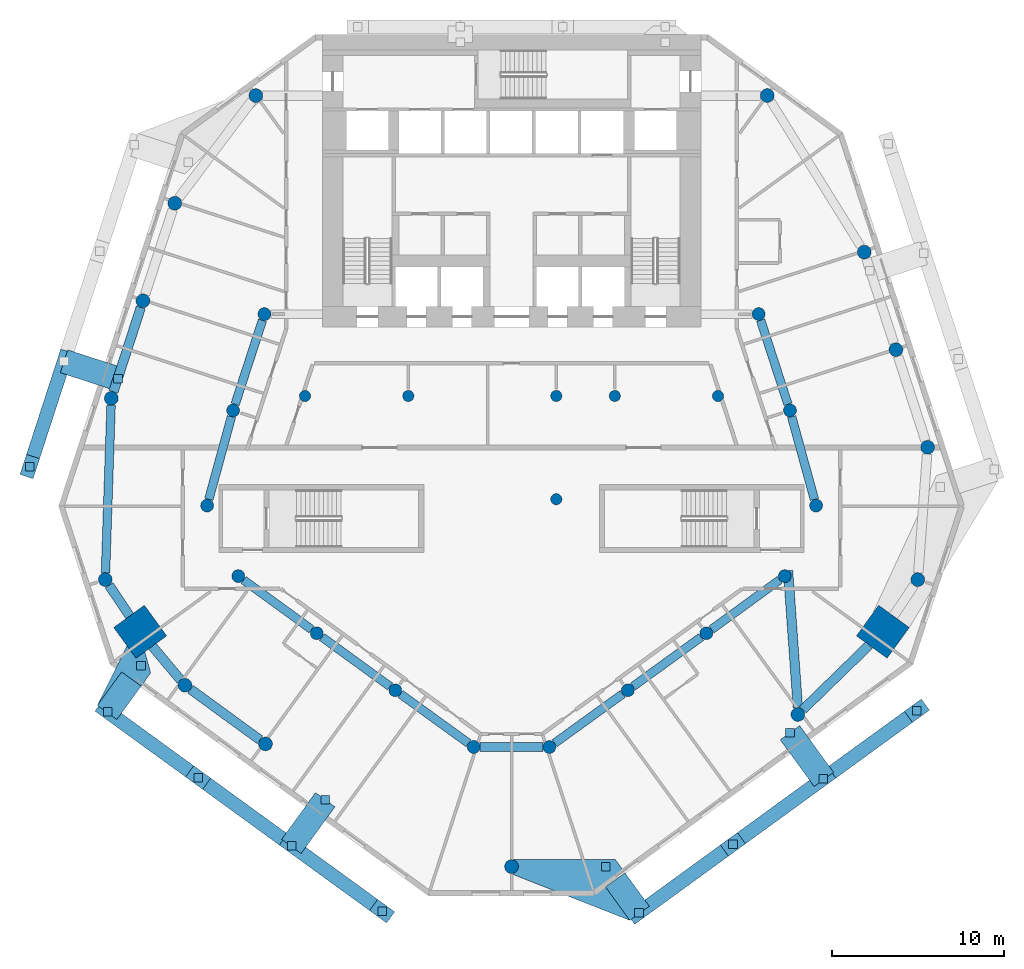
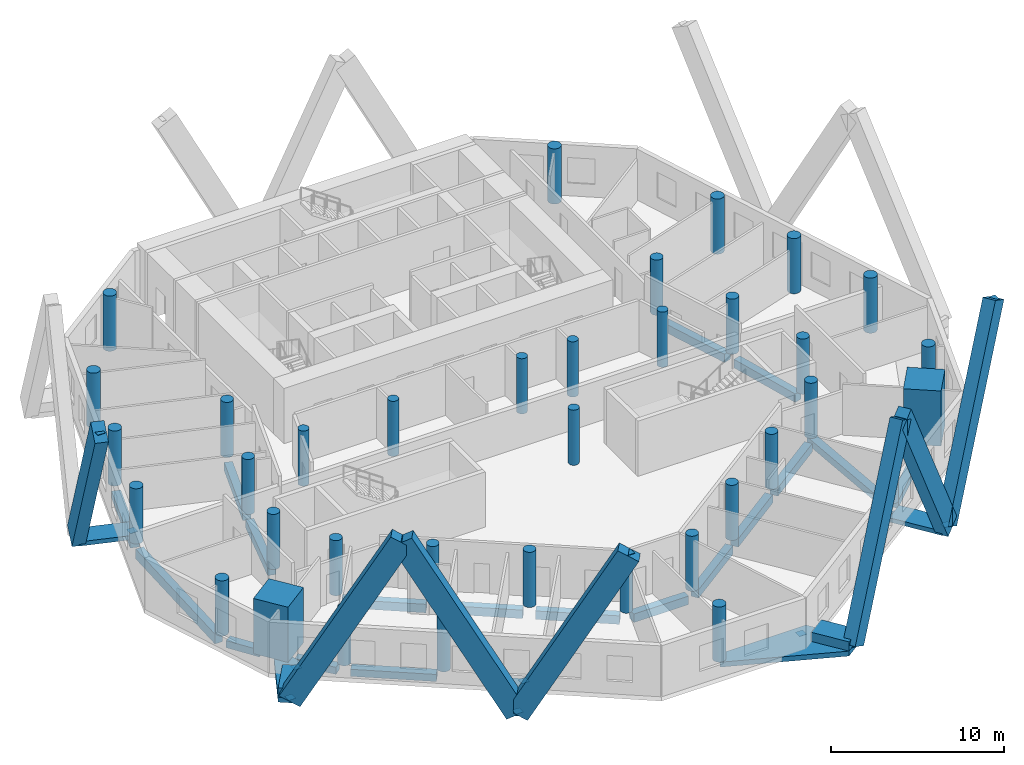
# One storey, part 1 of 10: 36 columns, 18 beams, 14 discrete accessories, 14 members.
"""IFC4 building model written with IfcOpenShell, lengths in metres."""

from ifc_helpers import new_model, si_unit, direction, frame, origin, origin_2d, place, context, subcontext, project, spatial, polyline, rectangle, circle, outline, extrude, material, layer, layer_set, material_profile, profile_set, type_object, element, aggregate, save


model = new_model("IFC4")

# Units and contexts
model_context = context("Model", 3, precision=1e-05, world=origin(), true_north=direction((0.0, 1.0)))
body_context = subcontext(model_context, "Body", "Model", "MODEL_VIEW")
ifc_project = project(units=[si_unit("LENGTHUNIT", "METRE"), si_unit("AREAUNIT", "SQUARE_METRE"), si_unit("VOLUMEUNIT", "CUBIC_METRE"), si_unit("PLANEANGLEUNIT", "RADIAN"), si_unit("MASSUNIT", "GRAM", prefix="KILO")], contexts=[model_context])

# Site, building, storey
site_placement = place(None, origin())
site = spatial("IfcSite", under=ifc_project, at=site_placement, CompositionType="ELEMENT")
building_placement = place(site_placement, origin())
building = spatial("IfcBuilding", under=site, at=building_placement, Name="White Candle Pilgrim Tower", CompositionType="ELEMENT")
storey_placement = place(building_placement, frame((0.0, 0.0, 42.89990234375)))
storey = spatial("IfcBuildingStorey", under=building, at=storey_placement, Name="L07", CompositionType="ELEMENT", Elevation=42.89990234375)

# Columns
ifc_material_1 = material(Name="Concrete C80/95", Category="concrete")
ifc_material_profile_1 = material_profile(ifc_material_1, circle(Radius=0.324951171875, at=origin_2d()), Name="RC-COL D650")
ifc_profile_set_1 = profile_set([ifc_material_profile_1], Name="Concrete C80/95")
column_type_1 = type_object("IfcColumnType", Name="Interior column RC-COL D650 C80/95", PredefinedType="COLUMN", material=ifc_profile_set_1)
for number, where, z_axis, x_axis, name in (
    (1, (58.0, 67.0, 0.0), (0.0, 0.0, 1.0), (1.0, 0.0, 0.0), "L07 column I01"),
    (2, (64.0, 67.0, 0.0), (0.0, 0.0, 1.0), (1.0, 0.0, 0.0), "L07 column I02"),
    (3, (72.60009765625, 61.0, 0.0), (0.0, 0.0, 1.0), (1.0, 0.0, 0.0), "L07 column I03"),
    (4, (72.60009765625, 67.0, 0.0), (0.0, 0.0, 1.0), (1.0, 0.0, 0.0), "L07 column I04"),
    (5, (76.0, 67.0, 0.0), (0.0, 0.0, 1.0), (1.0, 0.0, 0.0), "L07 column I05"),
    (6, (82.0, 67.0, 0.0), (0.0, 0.0, 1.0), (1.0, 0.0, 0.0), "L07 column I06"),
):
    element("IfcColumn", number, at=place(storey_placement, frame(where, z_axis=z_axis, x_axis=x_axis)), inside=storey, type_object=column_type_1, Name=name, PredefinedType="COLUMN", context=body_context, shape_type="SweptSolid", body=[
        extrude(circle(Radius=0.324951171875, at=origin_2d()), origin(), (0.0, 0.0, 1.0), 3.900146484375),
    ])
ifc_material_profile_2 = material_profile(ifc_material_1, rectangle(XDim=2.199951171875, YDim=2.199951171875, at=origin_2d()), Name="RC 2200x2200")
ifc_profile_set_2 = profile_set([ifc_material_profile_2], Name="Concrete C80/95")
column_type_2 = type_object("IfcColumnType", Name="Mega column RC 2200x2200 C80/95", PredefinedType="COLUMN", material=ifc_profile_set_2)
for number, where, z_axis, x_axis, name in (
    (7, (48.419921875, 53.300048828125, 0.0), (0.0, 0.0, 1.0), (-0.809016994375, -0.587785252292, 0.0), "L07 mega column T02"),
    (8, (91.580078125, 53.300048828125, 0.0), (0.0, 0.0, 1.0), (0.809016994375, -0.587785252292, 0.0), "L07 mega column T07"),
):
    element("IfcColumn", number, at=place(storey_placement, frame(where, z_axis=z_axis, x_axis=x_axis)), inside=storey, type_object=column_type_2, Name=name, PredefinedType="COLUMN", context=body_context, shape_type="SweptSolid", body=[
        extrude(rectangle(XDim=2.199951171875, YDim=2.199951171875, at=origin_2d()), origin(), (0.0, 0.0, 1.0), 3.900146484375),
    ])
ifc_material_profile_3 = material_profile(ifc_material_1, circle(Radius=0.39990234375, at=origin_2d()), Name="RC-COL D800")
ifc_profile_set_3 = profile_set([ifc_material_profile_3], Name="Concrete C80/95")
column_type_3 = type_object("IfcColumnType", Name="Perimeter column RC-COL D800 C80/95", PredefinedType="COLUMN", material=ifc_profile_set_3)
for number, where, z_axis, x_axis, name in (
    (9, (46.389892578125, 56.330078125, 0.0), (0.0, 0.0, 1.0), (1.0, 0.0, 0.0), "L07 column T01"),
    (10, (51.02001953125, 50.18994140625, 0.0), (0.0, 0.0, 1.0), (1.0, 0.0, 0.0), "L07 column T03"),
    (11, (55.699951171875, 46.780029296875, 0.0), (0.0, 0.0, 1.0), (1.0, 0.0, 0.0), "L07 column T04"),
    (12, (70.0, 39.64990234375, 0.0), (0.0, 0.0, 1.0), (1.0, 0.0, 0.0), "L07 column T05"),
    (13, (86.639892578125, 48.489990234375, 0.0), (0.0, 0.0, 1.0), (1.0, 0.0, 0.0), "L07 column T06"),
    (14, (93.610107421875, 56.330078125, 0.0), (0.0, 0.0, 1.0), (1.0, 0.0, 0.0), "L07 column T08"),
    (15, (94.179931640625, 64.02001953125, 0.0), (0.0, 0.0, 1.0), (1.0, 0.0, 0.0), "L07 column T09"),
    (16, (92.340087890625, 69.68994140625, 0.0), (0.0, 0.0, 1.0), (1.0, 0.0, 0.0), "L07 column T10"),
    (17, (90.5, 75.360107421875, 0.0), (0.0, 0.0, 1.0), (1.0, 0.0, 0.0), "L07 column T11"),
    (18, (84.860107421875, 84.4599609375, 0.0), (0.0, 0.0, 1.0), (1.0, 0.0, 0.0), "L07 column T12"),
    (19, (55.139892578125, 84.4599609375, 0.0), (0.0, 0.0, 1.0), (1.0, 0.0, 0.0), "L07 column T13"),
    (20, (50.429931640625, 78.199951171875, 0.0), (0.0, 0.0, 1.0), (1.0, 0.0, 0.0), "L07 column T14"),
    (21, (48.580078125, 72.530029296875, 0.0), (0.0, 0.0, 1.0), (1.0, 0.0, 0.0), "L07 column T15"),
    (22, (46.739990234375, 66.860107421875, 0.0), (0.0, 0.0, 1.0), (1.0, 0.0, 0.0), "L07 column T16"),
):
    element("IfcColumn", number, at=place(storey_placement, frame(where, z_axis=z_axis, x_axis=x_axis)), inside=storey, type_object=column_type_3, Name=name, PredefinedType="COLUMN", context=body_context, shape_type="SweptSolid", body=[
        extrude(circle(Radius=0.39990234375, at=origin_2d()), origin(), (0.0, 0.0, 1.0), 3.900146484375),
    ])
ifc_material_profile_4 = material_profile(ifc_material_1, circle(Radius=0.375, at=origin_2d()), Name="RC-COL D750")
ifc_profile_set_4 = profile_set([ifc_material_profile_4], Name="Concrete C80/95")
column_type_4 = type_object("IfcColumnType", Name="Ring column RC-COL D750 C80/95", PredefinedType="COLUMN", material=ifc_profile_set_4)
for number, where, z_axis, x_axis, name in (
    (23, (52.31005859375, 60.6298828125, 0.0), (0.0, 0.0, 1.0), (1.0, 0.0, 0.0), "L07 column R01"),
    (24, (54.1201171875, 56.530029296875, 0.0), (0.0, 0.0, 1.0), (1.0, 0.0, 0.0), "L07 column R02"),
    (25, (58.679931640625, 53.2099609375, 0.0), (0.0, 0.0, 1.0), (1.0, 0.0, 0.0), "L07 column R03"),
    (26, (63.239990234375, 49.89990234375, 0.0), (0.0, 0.0, 1.0), (1.0, 0.0, 0.0), "L07 column R04"),
    (27, (67.800048828125, 46.60009765625, 0.0), (0.0, 0.0, 1.0), (1.0, 0.0, 0.0), "L07 column R05"),
    (28, (72.199951171875, 46.60009765625, 0.0), (0.0, 0.0, 1.0), (1.0, 0.0, 0.0), "L07 column R06"),
    (29, (76.760009765625, 49.89990234375, 0.0), (0.0, 0.0, 1.0), (1.0, 0.0, 0.0), "L07 column R07"),
    (30, (81.320068359375, 53.2099609375, 0.0), (0.0, 0.0, 1.0), (1.0, 0.0, 0.0), "L07 column R08"),
    (31, (85.8798828125, 56.530029296875, 0.0), (0.0, 0.0, 1.0), (1.0, 0.0, 0.0), "L07 column R09"),
    (32, (87.699951171875, 60.6298828125, 0.0), (0.0, 0.0, 1.0), (1.0, 0.0, 0.0), "L07 column R10"),
    (33, (86.179931640625, 66.159912109375, 0.0), (0.0, 0.0, 1.0), (1.0, 0.0, 0.0), "L07 column R11"),
    (34, (84.360107421875, 71.760009765625, 0.0), (0.0, 0.0, 1.0), (1.0, 0.0, 0.0), "L07 column R12"),
    (35, (55.639892578125, 71.760009765625, 0.0), (0.0, 0.0, 1.0), (1.0, 0.0, 0.0), "L07 column R13"),
    (36, (53.820068359375, 66.159912109375, 0.0), (0.0, 0.0, 1.0), (1.0, 0.0, 0.0), "L07 column R14"),
):
    element("IfcColumn", number, at=place(storey_placement, frame(where, z_axis=z_axis, x_axis=x_axis)), inside=storey, type_object=column_type_4, Name=name, PredefinedType="COLUMN", context=body_context, shape_type="SweptSolid", body=[
        extrude(circle(Radius=0.375, at=origin_2d()), origin(), (0.0, 0.0, 1.0), 3.900146484375),
    ])

# Member
ifc_material_2 = material(Name="Concrete C80/95, white", Category="concrete")
ifc_material_profile_5 = material_profile(ifc_material_2, rectangle(XDim=0.800048828125, YDim=1.39990234375, at=origin_2d()), Name="RC-DG 800x1400")
ifc_profile_set_5 = profile_set([ifc_material_profile_5], Name="Concrete C80/95, white")
member_type_1 = type_object("IfcMemberType", Name="Exoskeleton diagonal RC-DG 800x1400 C80/95", PredefinedType="BRACE", material=ifc_profile_set_5)
member_1_placement = place(storey_placement, frame((77.408935546875, 36.9755859375, 0.0), z_axis=(0.40412143042, 0.293600835252, 0.866305038087), x_axis=(-0.587771401913, 0.809027057084, 0.0)))
member_1 = element("IfcMember", 37, at=member_1_placement, inside=storey, type_object=member_type_1, Name="Exoskeleton diagonal EX025", PredefinedType="BRACE", context=body_context, shape_type="SweptSolid", body=[
    extrude(rectangle(XDim=0.800048828125, YDim=1.39990234375, at=origin_2d()), origin(), (0.0, 0.0, 1.0), 13.505859375),
])

member_2_placement = place(storey_placement, frame((88.120849609375, 44.758056640625, 0.0), z_axis=(-0.392620110234, -0.285251646074, 0.874346011286), x_axis=(0.587780449219, -0.80902048399, 0.0)))
member_2 = element("IfcMember", 38, at=member_2_placement, inside=storey, type_object=member_type_1, Name="Exoskeleton diagonal EX026", PredefinedType="BRACE", context=body_context, shape_type="SweptSolid", body=[
    extrude(rectangle(XDim=0.800048828125, YDim=1.39990234375, at=origin_2d()), origin(), (0.0, 0.0, 1.0), 13.381591796875),
])

member_3_placement = place(storey_placement, frame((88.120849609375, 44.758056640625, 0.0), z_axis=(0.402895669842, 0.292735387888, 0.867168421877), x_axis=(-0.58780437345, 0.809003101696, 0.0)))
member_3 = element("IfcMember", 39, at=member_3_placement, inside=storey, type_object=member_type_1, Name="Exoskeleton diagonal EX027", PredefinedType="BRACE", context=body_context, shape_type="SweptSolid", body=[
    extrude(rectangle(XDim=0.800048828125, YDim=1.39990234375, at=origin_2d()), origin(), (0.0, 0.0, 1.0), 13.492431640625),
])

member_4_placement = place(storey_placement, frame((46.5234375, 48.6494140625, 0.0), z_axis=(0.393233291175, -0.285697735709, 0.873924700717), x_axis=(0.587781247957, 0.80901990368, 0.0)))
member_4 = element("IfcMember", 40, at=member_4_placement, inside=storey, type_object=member_type_1, Name="Exoskeleton diagonal EX037", PredefinedType="BRACE", context=body_context, shape_type="SweptSolid", body=[
    extrude(rectangle(XDim=0.800048828125, YDim=1.39990234375, at=origin_2d()), origin(), (0.0, 0.0, 1.0), 13.38818359375),
])

member_5_placement = place(storey_placement, frame((57.235107421875, 40.866943359375, 0.0), z_axis=(-0.403509006546, 0.29316843692, 0.866736839664), x_axis=(-0.587787854796, -0.809015103539, 0.0)))
member_5 = element("IfcMember", 41, at=member_5_placement, inside=storey, type_object=member_type_1, Name="Exoskeleton diagonal EX038", PredefinedType="BRACE", context=body_context, shape_type="SweptSolid", body=[
    extrude(rectangle(XDim=0.800048828125, YDim=1.39990234375, at=origin_2d()), origin(), (0.0, 0.0, 1.0), 13.4990234375),
])

member_6_placement = place(storey_placement, frame((57.235107421875, 40.866943359375, 0.0), z_axis=(0.391990593952, -0.284806949357, 0.874773328269), x_axis=(0.587797561123, 0.809008051343, 0.0)))
member_6 = element("IfcMember", 42, at=member_6_placement, inside=storey, type_object=member_type_1, Name="Exoskeleton diagonal EX039", PredefinedType="BRACE", context=body_context, shape_type="SweptSolid", body=[
    extrude(rectangle(XDim=0.800048828125, YDim=1.39990234375, at=origin_2d()), origin(), (0.0, 0.0, 1.0), 13.375),
])

member_7_placement = place(storey_placement, frame((43.991943359375, 69.0166015625, 0.0), z_axis=(-0.14889187706, -0.458231527816, 0.876273402461), x_axis=(0.951054425148, -0.30902343019, 0.0)))
member_7 = element("IfcMember", 43, at=member_7_placement, inside=storey, type_object=member_type_1, Name="Exoskeleton diagonal EX051", PredefinedType="BRACE", context=body_context, shape_type="SweptSolid", body=[
    extrude(rectangle(XDim=0.800048828125, YDim=1.39990234375, at=origin_2d()), origin(), (0.0, 0.0, 1.0), 13.352294921875),
])

ifc_material_3 = material(Name="Concrete C70/85, white", Category="concrete")
ifc_layer_1 = layer(ifc_material_3, 0.300048828125)
ifc_layer_set_1 = layer_set([ifc_layer_1], Name="Node tie strut 3300x1400x300 C70/85")
member_type_2 = type_object("IfcMemberType", Name="Node tie strut 3300x1400x300 C70/85", PredefinedType="STRUT", material=ifc_layer_set_1)
member_8_placement = place(storey_placement, frame((45.56103515625, 68.506591796875, -0.2998046875), z_axis=(0.0, 0.0, 1.0), x_axis=(-0.309016994375, -0.951056516295, 0.0)))
member_8 = element("IfcMember", 44, at=member_8_placement, inside=storey, type_object=member_type_2, Name="Node tie strut NC010", PredefinedType="STRUT", context=body_context, shape_type="SweptSolid", body=[
    extrude(rectangle(XDim=1.39990234375, YDim=3.300048828125, at=origin_2d()), origin(), (0.0, 0.0, 1.0), 0.300048828125),
])

ifc_layer_2 = layer(ifc_material_3, 0.300048828125)
ifc_layer_set_2 = layer_set([ifc_layer_2], Name="Node tie strut 3350x1400x300 C70/85")
member_type_3 = type_object("IfcMemberType", Name="Node tie strut 3350x1400x300 C70/85", PredefinedType="STRUT", material=ifc_layer_set_2)
member_9_placement = place(storey_placement, frame((0.0, 0.0, -0.349853515625)))
member_9 = element("IfcMember", 45, at=member_9_placement, inside=storey, type_object=member_type_3, Name="Node tie strut NC005", PredefinedType="STRUT", context=body_context, shape_type="SweptSolid", body=[
    extrude(outline(polyline([(76.8720703125, 36.523681640625), (78.0048828125, 37.3466796875), (76.03564453125, 40.056884765625), (70.0, 40.050048828125), (70.026123046875, 40.049072265625), (70.05224609375, 40.046630859375), (70.077880859375, 40.042236328125), (70.103515625, 40.036376953125), (70.128662109375, 40.02880859375), (70.153076171875, 40.01953125), (70.177001953125, 40.0087890625), (70.199951171875, 39.996337890625), (70.22216796875, 39.982666015625), (70.243408203125, 39.96728515625), (70.263671875, 39.95068359375), (70.28271484375, 39.932861328125), (70.30078125, 39.913818359375), (70.3173828125, 39.8935546875), (70.33251953125, 39.872314453125), (70.346435546875, 39.85009765625), (70.358642578125, 39.826904296875), (70.36962890625, 39.802978515625), (70.37890625, 39.778564453125), (70.386474609375, 39.75341796875), (70.392333984375, 39.72802734375), (70.396484375, 39.7021484375), (70.399169921875, 39.67626953125), (70.39990234375, 39.64990234375), (70.399169921875, 39.623779296875), (70.396484375, 39.597900390625), (70.392333984375, 39.572021484375), (70.386474609375, 39.54638671875), (70.37890625, 39.521484375), (70.36962890625, 39.496826171875), (70.358642578125, 39.47314453125), (70.346435546875, 39.449951171875), (70.33251953125, 39.427734375), (70.3173828125, 39.406494140625), (70.30078125, 39.38623046875), (70.28271484375, 39.3671875), (70.263671875, 39.349365234375), (70.243408203125, 39.332763671875), (70.22216796875, 39.3173828125), (70.199951171875, 39.3037109375), (70.177001953125, 39.291259765625), (70.153076171875, 39.280517578125), (70.128662109375, 39.271240234375), (70.103515625, 39.263671875), (70.077880859375, 39.2578125), (70.05224609375, 39.25341796875), (70.026123046875, 39.2509765625), (70.0, 39.25), (69.973876953125, 39.2509765625), (69.94775390625, 39.25341796875), (69.922119140625, 39.2578125), (69.896484375, 39.263671875), (69.871337890625, 39.271240234375), (69.846923828125, 39.280517578125), (76.8720703125, 36.523681640625)])), origin(), (0.0, 0.0, 1.0), 0.349853515625),
])

member_10_placement = place(storey_placement, origin())
element("IfcMember", 46, at=member_10_placement, inside=storey, type_object=member_type_3, Name="Node tie strut NC005", PredefinedType="STRUT", context=body_context, shape_type="SweptSolid", body=[
    extrude(outline(polyline([(76.8720703125, 36.523681640625), (78.0048828125, 37.3466796875), (76.593994140625, 39.288330078125), (75.46142578125, 38.46533203125), (76.8720703125, 36.523681640625)])), origin(), (0.0, 0.0, 1.0), 0.650146484375),
])

member_11_placement = place(storey_placement, frame((87.16552734375, 46.07275390625, -0.2998046875), z_axis=(0.0, 0.0, 1.0), x_axis=(0.809016994375, 0.587785252292, 0.0)))
member_11 = element("IfcMember", 47, at=member_11_placement, inside=storey, type_object=member_type_3, Name="Node tie strut NC006", PredefinedType="STRUT", context=body_context, shape_type="SweptSolid", body=[
    extrude(rectangle(XDim=1.39990234375, YDim=3.35009765625, at=origin_2d()), origin(), (0.0, 0.0, 1.0), 0.300048828125),
])

member_12_placement = place(storey_placement, frame((0.0, 0.0, -0.349853515625)))
member_12 = element("IfcMember", 48, at=member_12_placement, inside=storey, type_object=member_type_3, Name="Node tie strut NC007", PredefinedType="STRUT", context=body_context, shape_type="SweptSolid", body=[
    extrude(outline(polyline([(47.060302734375, 48.197509765625), (49.029296875, 50.90771484375), (48.68701171875, 52.13427734375), (48.176513671875, 51.763427734375), (47.654052734375, 52.482666015625), (45.927490234375, 49.0205078125), (47.060302734375, 48.197509765625)])), origin(), (0.0, 0.0, 1.0), 0.349853515625),
])

member_13_placement = place(storey_placement, origin())
element("IfcMember", 49, at=member_13_placement, inside=storey, type_object=member_type_3, Name="Node tie strut NC007", PredefinedType="STRUT", context=body_context, shape_type="SweptSolid", body=[
    extrude(outline(polyline([(47.060302734375, 48.197509765625), (48.470947265625, 50.13916015625), (47.33837890625, 50.962158203125), (45.927490234375, 49.0205078125), (47.060302734375, 48.197509765625)])), origin(), (0.0, 0.0, 1.0), 0.650146484375),
])

member_14_placement = place(storey_placement, frame((58.190185546875, 42.181396484375, -0.2998046875), z_axis=(0.0, 0.0, 1.0), x_axis=(0.809016994375, -0.587785252292, 0.0)))
member_14 = element("IfcMember", 50, at=member_14_placement, inside=storey, type_object=member_type_3, Name="Node tie strut NC008", PredefinedType="STRUT", context=body_context, shape_type="SweptSolid", body=[
    extrude(rectangle(XDim=1.39990234375, YDim=3.35009765625, at=origin_2d()), origin(), (0.0, 0.0, 1.0), 0.300048828125),
])

# Beams
ifc_material_4 = material(Name="Concrete C50/60", Category="concrete")
ifc_material_profile_6 = material_profile(ifc_material_4, rectangle(XDim=0.5, YDim=0.60009765625, at=origin_2d()), Name="RC-BM 500x600")
ifc_profile_set_6 = profile_set([ifc_material_profile_6], Name="Concrete C50/60")
beam_type_1 = type_object("IfcBeamType", Name="Ring beam RC-BM 500x600 C50/60", PredefinedType="BEAM", material=ifc_profile_set_6)
beam_1_placement = place(storey_placement, frame((54.423095703125, 56.309326171875, -0.599853515625), z_axis=(0.808431607518, -0.58859012561, 0.0), x_axis=(0.58859012561, 0.808431607518, 0.0)))
element("IfcBeam", 51, at=beam_1_placement, inside=storey, type_object=beam_type_1, Name="L07 ring beam R01", PredefinedType="BEAM", context=body_context, shape_type="SweptSolid", body=[
    extrude(rectangle(XDim=0.5, YDim=0.60009765625, at=origin_2d()), origin(), (0.0, 0.0, 1.0), 4.890869140625),
])
beam_2_placement = place(storey_placement, frame((58.9833984375, 52.98974609375, -0.599853515625), z_axis=(0.809276033964, -0.587428549572, 0.0), x_axis=(0.587428549572, 0.809276033964, 0.0)))
element("IfcBeam", 52, at=beam_2_placement, inside=storey, type_object=beam_type_1, Name="L07 ring beam R02", PredefinedType="BEAM", context=body_context, shape_type="SweptSolid", body=[
    extrude(rectangle(XDim=0.5, YDim=0.60009765625, at=origin_2d()), origin(), (0.0, 0.0, 1.0), 4.885009765625),
])
beam_3_placement = place(storey_placement, frame((63.543701171875, 49.680419921875, -0.599853515625), z_axis=(0.810079795278, -0.586319644291, 0.0), x_axis=(0.586319644291, 0.810079795278, 0.0)))
element("IfcBeam", 53, at=beam_3_placement, inside=storey, type_object=beam_type_1, Name="L07 ring beam R03", PredefinedType="BEAM", context=body_context, shape_type="SweptSolid", body=[
    extrude(rectangle(XDim=0.5, YDim=0.60009765625, at=origin_2d()), origin(), (0.0, 0.0, 1.0), 4.87939453125),
])
beam_4_placement = place(storey_placement, frame((68.175048828125, 46.60009765625, -0.599853515625), z_axis=(1.0, 0.0, 0.0), x_axis=(0.0, 1.0, 0.0)))
element("IfcBeam", 54, at=beam_4_placement, inside=storey, type_object=beam_type_1, Name="L07 ring beam R04", PredefinedType="BEAM", context=body_context, shape_type="SweptSolid", body=[
    extrude(rectangle(XDim=0.5, YDim=0.60009765625, at=origin_2d()), origin(), (0.0, 0.0, 1.0), 3.64990234375),
])
beam_5_placement = place(storey_placement, frame((72.503662109375, 46.819580078125, -0.599853515625), z_axis=(0.810079795278, 0.586319644291, 0.0), x_axis=(-0.586319644291, 0.810079795278, 0.0)))
element("IfcBeam", 55, at=beam_5_placement, inside=storey, type_object=beam_type_1, Name="L07 ring beam R05", PredefinedType="BEAM", context=body_context, shape_type="SweptSolid", body=[
    extrude(rectangle(XDim=0.5, YDim=0.60009765625, at=origin_2d()), origin(), (0.0, 0.0, 1.0), 4.87939453125),
])
beam_6_placement = place(storey_placement, frame((77.063232421875, 50.1201171875, -0.599853515625), z_axis=(0.809276033964, 0.587428549572, 0.0), x_axis=(-0.587428549572, 0.809276033964, 0.0)))
element("IfcBeam", 56, at=beam_6_placement, inside=storey, type_object=beam_type_1, Name="L07 ring beam R06", PredefinedType="BEAM", context=body_context, shape_type="SweptSolid", body=[
    extrude(rectangle(XDim=0.5, YDim=0.60009765625, at=origin_2d()), origin(), (0.0, 0.0, 1.0), 4.885009765625),
])
beam_7_placement = place(storey_placement, frame((81.623046875, 53.4306640625, -0.599853515625), z_axis=(0.808431607518, 0.58859012561, 0.0), x_axis=(-0.58859012561, 0.808431607518, 0.0)))
element("IfcBeam", 57, at=beam_7_placement, inside=storey, type_object=beam_type_1, Name="L07 ring beam R07", PredefinedType="BEAM", context=body_context, shape_type="SweptSolid", body=[
    extrude(rectangle(XDim=0.5, YDim=0.60009765625, at=origin_2d()), origin(), (0.0, 0.0, 1.0), 4.890869140625),
])
beam_8_placement = place(storey_placement, frame((87.6005859375, 60.991455078125, -0.599853515625), z_axis=(-0.265031278819, 0.964239815216, 0.0), x_axis=(-0.964239815216, -0.265031278819, 0.0)))
element("IfcBeam", 58, at=beam_8_placement, inside=storey, type_object=beam_type_1, Name="L07 ring beam R08", PredefinedType="BEAM", context=body_context, shape_type="SweptSolid", body=[
    extrude(rectangle(XDim=0.5, YDim=0.60009765625, at=origin_2d()), origin(), (0.0, 0.0, 1.0), 4.9853515625),
])
for number, where, z_axis, x_axis, name in (
    (59, (86.064208984375, 66.5166015625, -0.599853515625), (-0.309106483996, 0.9510274347, 0.0), (-0.9510274347, -0.309106483996, 0.0), "L07 ring beam R09"),
    (60, (55.524169921875, 71.403564453125, -0.599853515625), (-0.309106483996, -0.9510274347, 0.0), (0.9510274347, -0.309106483996, 0.0), "L07 ring beam R12"),
):
    element("IfcBeam", number, at=place(storey_placement, frame(where, z_axis=z_axis, x_axis=x_axis)), inside=storey, type_object=beam_type_1, Name=name, PredefinedType="BEAM", context=body_context, shape_type="SweptSolid", body=[
        extrude(rectangle(XDim=0.5, YDim=0.60009765625, at=origin_2d()), origin(), (0.0, 0.0, 1.0), 5.138671875),
    ])
beam_9_placement = place(storey_placement, frame((53.72119140625, 65.79833984375, -0.599853515625), z_axis=(-0.263415907103, -0.964682362172, 0.0), x_axis=(0.964682362172, -0.263415907103, 0.0)))
element("IfcBeam", 61, at=beam_9_placement, inside=storey, type_object=beam_type_1, Name="L07 ring beam R13", PredefinedType="BEAM", context=body_context, shape_type="SweptSolid", body=[
    extrude(rectangle(XDim=0.5, YDim=0.60009765625, at=origin_2d()), origin(), (0.0, 0.0, 1.0), 4.982666015625),
])
ifc_material_profile_7 = material_profile(ifc_material_4, rectangle(XDim=0.5, YDim=0.699951171875, at=origin_2d()), Name="RC-BM 500x700")
ifc_profile_set_7 = profile_set([ifc_material_profile_7], Name="Concrete C50/60")
beam_type_2 = type_object("IfcBeamType", Name="Spandrel beam RC-BM 500x700 C50/60", PredefinedType="BEAM", material=ifc_profile_set_7)
beam_10_placement = place(storey_placement, frame((46.726806640625, 66.46044921875, -0.64990234375), z_axis=(-0.033224659514, -0.999447908598, 0.0), x_axis=(0.999447908598, -0.033224659514, 0.0)))
element("IfcBeam", 62, at=beam_10_placement, inside=storey, type_object=beam_type_2, Name="L07 spandrel beam T16", PredefinedType="BEAM", context=body_context, shape_type="SweptSolid", body=[
    extrude(rectangle(XDim=0.5, YDim=0.699951171875, at=origin_2d()), origin(), (0.0, 0.0, 1.0), 9.736328125),
])
ifc_material_profile_8 = material_profile(ifc_material_4, rectangle(XDim=0.550048828125, YDim=0.5, at=origin_2d()), Name="RC-BM 550x500")
ifc_profile_set_8 = profile_set([ifc_material_profile_8], Name="Concrete C50/60")
beam_type_3 = type_object("IfcBeamType", Name="Spandrel beam RC-BM 550x500 C50/60", PredefinedType="BEAM", material=ifc_profile_set_8)
beam_11_placement = place(storey_placement, frame((46.612548828125, 55.997802734375, -0.5498046875), z_axis=(0.556641005169, -0.830753147069, 0.0), x_axis=(0.830753147069, 0.556641005169, 0.0)))
element("IfcBeam", 63, at=beam_11_placement, inside=storey, type_object=beam_type_3, Name="L07 spandrel beam T01", PredefinedType="BEAM", context=body_context, shape_type="SweptSolid", body=[
    extrude(rectangle(XDim=0.550048828125, YDim=0.5, at=origin_2d()), origin(), (0.0, 0.0, 1.0), 2.146484375),
])
beam_12_placement = place(storey_placement, frame((49.127197265625, 52.4541015625, -0.5498046875), z_axis=(0.641388324436, -0.767216408373, 0.0), x_axis=(0.767216408373, 0.641388324436, 0.0)))
element("IfcBeam", 64, at=beam_12_placement, inside=storey, type_object=beam_type_3, Name="L07 spandrel beam T02", PredefinedType="BEAM", context=body_context, shape_type="SweptSolid", body=[
    extrude(rectangle(XDim=0.550048828125, YDim=0.5, at=origin_2d()), origin(), (0.0, 0.0, 1.0), 2.551513671875),
])
beam_13_placement = place(storey_placement, frame((51.343017578125, 49.95458984375, -0.5498046875), z_axis=(0.808217539001, -0.588884037525, 0.0), x_axis=(0.588884037525, 0.808217539001, 0.0)))
element("IfcBeam", 65, at=beam_13_placement, inside=storey, type_object=beam_type_3, Name="L07 spandrel beam T03", PredefinedType="BEAM", context=body_context, shape_type="SweptSolid", body=[
    extrude(rectangle(XDim=0.550048828125, YDim=0.5, at=origin_2d()), origin(), (0.0, 0.0, 1.0), 4.9912109375),
])
beam_14_placement = place(storey_placement, frame((86.639892578125, 48.889892578125, -0.5498046875), z_axis=(-0.071694624988, 0.997426629255, 0.0), x_axis=(-0.997426629255, -0.071694624988, 0.0)))
element("IfcBeam", 66, at=beam_14_placement, inside=storey, type_object=beam_type_3, Name="L07 spandrel beam T04", PredefinedType="BEAM", context=body_context, shape_type="SweptSolid", body=[
    extrude(rectangle(XDim=0.550048828125, YDim=0.5, at=origin_2d()), origin(), (0.0, 0.0, 1.0), 7.9853515625),
])
beam_15_placement = place(storey_placement, frame((86.926513671875, 48.768798828125, -0.5498046875), z_axis=(0.716462232914, 0.697625880259, 0.0), x_axis=(-0.697625880259, 0.716462232914, 0.0)))
element("IfcBeam", 67, at=beam_15_placement, inside=storey, type_object=beam_type_3, Name="L07 spandrel beam T05", PredefinedType="BEAM", context=body_context, shape_type="SweptSolid", body=[
    extrude(rectangle(XDim=0.550048828125, YDim=0.5, at=origin_2d()), origin(), (0.0, 0.0, 1.0), 5.37890625),
])
beam_16_placement = place(storey_placement, frame((48.45654296875, 72.149658203125, -0.5498046875), z_axis=(-0.308682827488, -0.951165028801, 0.0), x_axis=(0.951165028801, -0.308682827488, 0.0)))
element("IfcBeam", 68, at=beam_16_placement, inside=storey, type_object=beam_type_3, Name="L07 spandrel beam T15", PredefinedType="BEAM", context=body_context, shape_type="SweptSolid", body=[
    extrude(rectangle(XDim=0.550048828125, YDim=0.5, at=origin_2d()), origin(), (0.0, 0.0, 1.0), 5.161376953125),
])

# Discrete accessory
ifc_material_5 = material(Name="Steel S355", Category="steel")
ifc_layer_3 = layer(ifc_material_5, 0.02490234375)
ifc_layer_set_3 = layer_set([ifc_layer_3], Name="Gusset plate 500x500x25 S355")
discrete_accessory_type = type_object("IfcDiscreteAccessoryType", Name="Gusset plate 500x500x25 S355", PredefinedType="BRACKET", material=ifc_layer_set_3)
discrete_accessory_1_placement = place(storey_placement, frame((77.408935546875, 36.9755859375, -0.012451171875), z_axis=(0.0, 0.0, 1.0), x_axis=(1.0, 0.0, 0.0)))
discrete_accessory_1 = element("IfcDiscreteAccessory", 69, at=discrete_accessory_1_placement, type_object=discrete_accessory_type, Name="Gusset plate 0025", PredefinedType="BRACKET", context=body_context, shape_type="SweptSolid", body=[
    extrude(rectangle(XDim=0.5, YDim=0.5, at=origin_2d()), origin(), (0.0, 0.0, 1.0), 0.02490234375),
])

placement = place(building_placement, frame((0.0, 0.0, 54.60009765625)))
discrete_accessory_2_placement = place(placement, frame((82.866943359375, 40.94091796875, -0.012451171875), z_axis=(0.0, 0.0, 1.0), x_axis=(1.0, 0.0, 0.0)))
discrete_accessory_2 = element("IfcDiscreteAccessory", 70, at=discrete_accessory_2_placement, type_object=discrete_accessory_type, Name="Gusset plate 0026", PredefinedType="BRACKET", context=body_context, shape_type="SweptSolid", body=[
    extrude(rectangle(XDim=0.5, YDim=0.5, at=origin_2d()), origin(), (0.0, 0.0, 1.0), 0.02490234375),
])

aggregate(member_1, [discrete_accessory_1, discrete_accessory_2])

discrete_accessory_3_placement = place(storey_placement, frame((88.120849609375, 44.758056640625, -0.012451171875), z_axis=(0.0, 0.0, 1.0), x_axis=(1.0, 0.0, 0.0)))
discrete_accessory_3 = element("IfcDiscreteAccessory", 71, at=discrete_accessory_3_placement, type_object=discrete_accessory_type, Name="Gusset plate 0027", PredefinedType="BRACKET", context=body_context, shape_type="SweptSolid", body=[
    extrude(rectangle(XDim=0.5, YDim=0.5, at=origin_2d()), origin(), (0.0, 0.0, 1.0), 0.02490234375),
])

aggregate(member_2, [discrete_accessory_3])

discrete_accessory_4_placement = place(placement, frame((93.556884765625, 48.707763671875, -0.012451171875), z_axis=(0.0, 0.0, 1.0), x_axis=(1.0, 0.0, 0.0)))
discrete_accessory_4 = element("IfcDiscreteAccessory", 72, at=discrete_accessory_4_placement, type_object=discrete_accessory_type, Name="Gusset plate 0028", PredefinedType="BRACKET", context=body_context, shape_type="SweptSolid", body=[
    extrude(rectangle(XDim=0.5, YDim=0.5, at=origin_2d()), origin(), (0.0, 0.0, 1.0), 0.02490234375),
])

aggregate(member_3, [discrete_accessory_4])

discrete_accessory_5_placement = place(storey_placement, frame((46.5234375, 48.6494140625, -0.012451171875), z_axis=(0.0, 0.0, 1.0), x_axis=(1.0, 0.0, 0.0)))
discrete_accessory_5 = element("IfcDiscreteAccessory", 73, at=discrete_accessory_5_placement, type_object=discrete_accessory_type, Name="Gusset plate 0041", PredefinedType="BRACKET", context=body_context, shape_type="SweptSolid", body=[
    extrude(rectangle(XDim=0.5, YDim=0.5, at=origin_2d()), origin(), (0.0, 0.0, 1.0), 0.02490234375),
])

discrete_accessory_6_placement = place(placement, frame((51.7880859375, 44.824462890625, -0.012451171875), z_axis=(0.0, 0.0, 1.0), x_axis=(1.0, 0.0, 0.0)))
discrete_accessory_6 = element("IfcDiscreteAccessory", 74, at=discrete_accessory_6_placement, type_object=discrete_accessory_type, Name="Gusset plate 0042", PredefinedType="BRACKET", context=body_context, shape_type="SweptSolid", body=[
    extrude(rectangle(XDim=0.5, YDim=0.5, at=origin_2d()), origin(), (0.0, 0.0, 1.0), 0.02490234375),
])

aggregate(member_4, [discrete_accessory_5, discrete_accessory_6])

discrete_accessory_7_placement = place(storey_placement, frame((57.235107421875, 40.866943359375, -0.012451171875), z_axis=(0.0, 0.0, 1.0), x_axis=(1.0, 0.0, 0.0)))
discrete_accessory_7 = element("IfcDiscreteAccessory", 75, at=discrete_accessory_7_placement, type_object=discrete_accessory_type, Name="Gusset plate 0043", PredefinedType="BRACKET", context=body_context, shape_type="SweptSolid", body=[
    extrude(rectangle(XDim=0.5, YDim=0.5, at=origin_2d()), origin(), (0.0, 0.0, 1.0), 0.02490234375),
])

aggregate(member_5, [discrete_accessory_7])

discrete_accessory_8_placement = place(placement, frame((62.47802734375, 37.0576171875, -0.012451171875), z_axis=(0.0, 0.0, 1.0), x_axis=(1.0, 0.0, 0.0)))
discrete_accessory_8 = element("IfcDiscreteAccessory", 76, at=discrete_accessory_8_placement, type_object=discrete_accessory_type, Name="Gusset plate 0044", PredefinedType="BRACKET", context=body_context, shape_type="SweptSolid", body=[
    extrude(rectangle(XDim=0.5, YDim=0.5, at=origin_2d()), origin(), (0.0, 0.0, 1.0), 0.02490234375),
])

aggregate(member_6, [discrete_accessory_8])

discrete_accessory_9_placement = place(placement, frame((42.00390625, 62.898193359375, -0.012451171875), z_axis=(0.0, 0.0, 1.0), x_axis=(1.0, 0.0, 0.0)))
discrete_accessory_9 = element("IfcDiscreteAccessory", 77, at=discrete_accessory_9_placement, type_object=discrete_accessory_type, Name="Gusset plate 0060", PredefinedType="BRACKET", context=body_context, shape_type="SweptSolid", body=[
    extrude(rectangle(XDim=0.5, YDim=0.5, at=origin_2d()), origin(), (0.0, 0.0, 1.0), 0.02490234375),
])

aggregate(member_7, [discrete_accessory_9])

discrete_accessory_10_placement = place(storey_placement, frame((75.469482421875, 39.6455078125, -0.162353515625), z_axis=(0.0, 0.0, 1.0), x_axis=(1.0, 0.0, 0.0)))
discrete_accessory_10 = element("IfcDiscreteAccessory", 78, at=discrete_accessory_10_placement, type_object=discrete_accessory_type, Name="Gusset plate 0386", PredefinedType="BRACKET", context=body_context, shape_type="SweptSolid", body=[
    extrude(rectangle(XDim=0.5, YDim=0.5, at=origin_2d()), origin(), (0.0, 0.0, 1.0), 0.02490234375),
])

aggregate(member_9, [discrete_accessory_10])

discrete_accessory_11_placement = place(storey_placement, frame((86.18115234375, 47.427978515625, -0.162353515625), z_axis=(0.0, 0.0, 1.0), x_axis=(1.0, 0.0, 0.0)))
discrete_accessory_11 = element("IfcDiscreteAccessory", 79, at=discrete_accessory_11_placement, type_object=discrete_accessory_type, Name="Gusset plate 0387", PredefinedType="BRACKET", context=body_context, shape_type="SweptSolid", body=[
    extrude(rectangle(XDim=0.5, YDim=0.5, at=origin_2d()), origin(), (0.0, 0.0, 1.0), 0.02490234375),
])

aggregate(member_11, [discrete_accessory_11])

discrete_accessory_12_placement = place(storey_placement, frame((48.462890625, 51.319091796875, -0.162353515625), z_axis=(0.0, 0.0, 1.0), x_axis=(1.0, 0.0, 0.0)))
discrete_accessory_12 = element("IfcDiscreteAccessory", 80, at=discrete_accessory_12_placement, type_object=discrete_accessory_type, Name="Gusset plate 0388", PredefinedType="BRACKET", context=body_context, shape_type="SweptSolid", body=[
    extrude(rectangle(XDim=0.5, YDim=0.5, at=origin_2d()), origin(), (0.0, 0.0, 1.0), 0.02490234375),
])

aggregate(member_12, [discrete_accessory_12])

discrete_accessory_13_placement = place(storey_placement, frame((59.1748046875, 43.53662109375, -0.162353515625), z_axis=(0.0, 0.0, 1.0), x_axis=(1.0, 0.0, 0.0)))
discrete_accessory_13 = element("IfcDiscreteAccessory", 81, at=discrete_accessory_13_placement, type_object=discrete_accessory_type, Name="Gusset plate 0389", PredefinedType="BRACKET", context=body_context, shape_type="SweptSolid", body=[
    extrude(rectangle(XDim=0.5, YDim=0.5, at=origin_2d()), origin(), (0.0, 0.0, 1.0), 0.02490234375),
])

aggregate(member_14, [discrete_accessory_13])

discrete_accessory_14_placement = place(storey_placement, frame((47.13037109375, 67.99658203125, -0.162353515625), z_axis=(0.0, 0.0, 1.0), x_axis=(1.0, 0.0, 0.0)))
discrete_accessory_14 = element("IfcDiscreteAccessory", 82, at=discrete_accessory_14_placement, type_object=discrete_accessory_type, Name="Gusset plate 0391", PredefinedType="BRACKET", context=body_context, shape_type="SweptSolid", body=[
    extrude(rectangle(XDim=0.5, YDim=0.5, at=origin_2d()), origin(), (0.0, 0.0, 1.0), 0.02490234375),
])

aggregate(member_8, [discrete_accessory_14])

save(model, "model.ifc")
